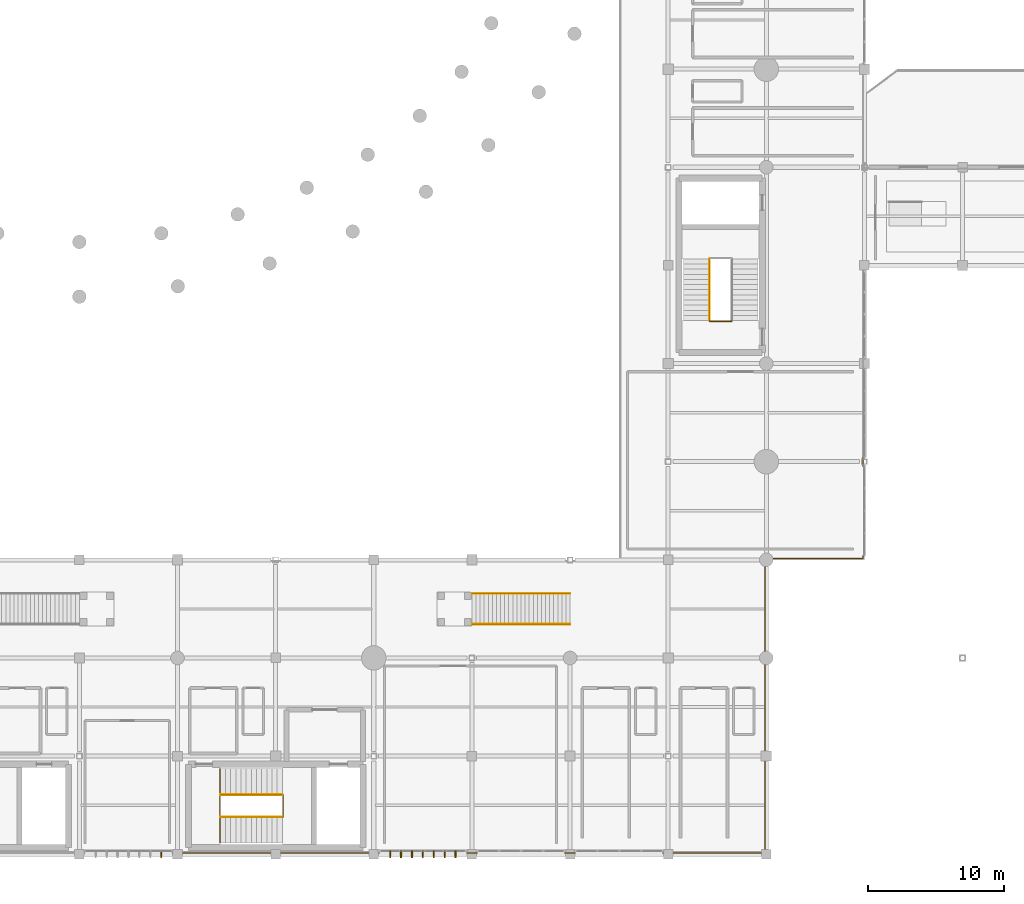
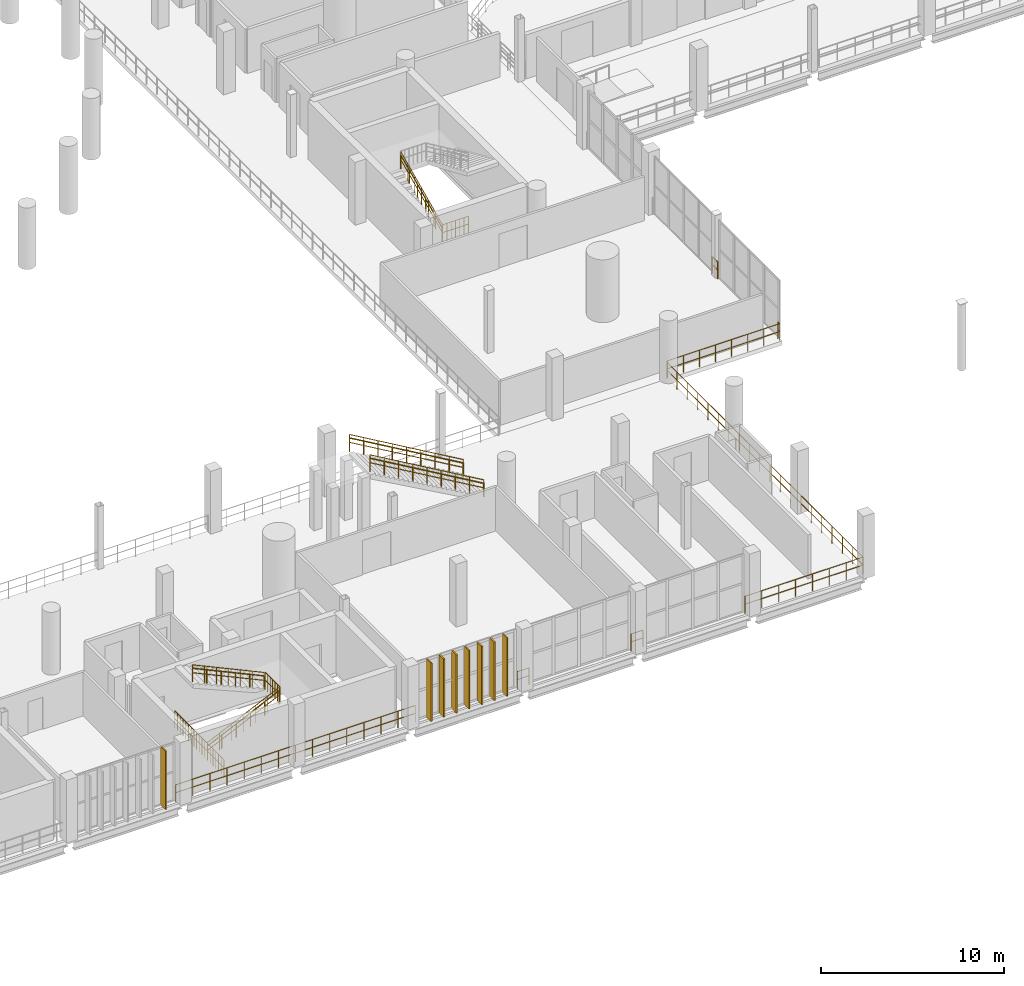
# One storey, part 120 of 130: 19 railings, 8 coverings.
"""IFC4 building model written with IfcOpenShell, lengths in metres."""

from ifc_helpers import new_model, si_unit, direction, frame, origin, origin_2d, place, context, subcontext, project, spatial, rectangle, circle, extrude, material, layer, layer_set, type_object, element, save


model = new_model("IFC4")

# Units and contexts
model_context = context("Model", 3, precision=1e-05, world=origin(), true_north=direction((0.0, 1.0)))
body_context = subcontext(model_context, "Body", "Model", "MODEL_VIEW")
ifc_project = project(units=[si_unit("LENGTHUNIT", "METRE"), si_unit("AREAUNIT", "SQUARE_METRE"), si_unit("VOLUMEUNIT", "CUBIC_METRE"), si_unit("PLANEANGLEUNIT", "RADIAN"), si_unit("MASSUNIT", "GRAM", prefix="KILO")], contexts=[model_context])

# Site, building, storey
site_placement = place(None, origin())
site = spatial("IfcSite", under=ifc_project, at=site_placement, CompositionType="ELEMENT")
building_placement = place(site_placement, origin())
building = spatial("IfcBuilding", under=site, at=building_placement, Name="Qandorah Velis Arena", CompositionType="ELEMENT")
storey_placement = place(building_placement, frame((0.0, 0.0, 9.60009765625)))
storey = spatial("IfcBuildingStorey", under=building, at=storey_placement, Name="L02", CompositionType="ELEMENT", Elevation=9.60009765625)

# Coverings
ifc_material_1 = material(Name="Champagne-bronze anodized aluminium 6063-T6", Category="aluminium")
ifc_layer = layer(ifc_material_1, 0.0849609375)
ifc_layer_set = layer_set([ifc_layer], Name="Champagne-bronze anodized aluminium 6063-T6")
covering_type = type_object("IfcCoveringType", Name="ARC-COV-FIN520", PredefinedType="CLADDING", material=ifc_layer_set)
for number, where, z_axis, x_axis, name in (
    (1, (70.800048828125, -0.001953125, -0.010009765625), (0.0, 0.0, 1.0), (1.0, 0.0, 0.0), "Vertical champagne-bronze solar fin blade WNG-S-L02-09-007"),
    (2, (87.60009765625, -0.001953125, -0.010009765625), (0.0, 0.0, 1.0), (1.0, 0.0, 0.0), "Vertical champagne-bronze solar fin blade WNG-S-L02-12-001"),
    (3, (88.39990234375, -0.001953125, -0.010009765625), (0.0, 0.0, 1.0), (1.0, 0.0, 0.0), "Vertical champagne-bronze solar fin blade WNG-S-L02-12-002"),
    (4, (89.199951171875, -0.001953125, -0.010009765625), (0.0, 0.0, 1.0), (1.0, 0.0, 0.0), "Vertical champagne-bronze solar fin blade WNG-S-L02-12-003"),
    (5, (90.0, -0.001953125, -0.010009765625), (0.0, 0.0, 1.0), (1.0, 0.0, 0.0), "Vertical champagne-bronze solar fin blade WNG-S-L02-12-004"),
    (6, (90.800048828125, -0.001953125, -0.010009765625), (0.0, 0.0, 1.0), (1.0, 0.0, 0.0), "Vertical champagne-bronze solar fin blade WNG-S-L02-12-005"),
    (7, (91.60009765625, -0.001953125, -0.010009765625), (0.0, 0.0, 1.0), (1.0, 0.0, 0.0), "Vertical champagne-bronze solar fin blade WNG-S-L02-12-006"),
    (8, (92.39990234375, -0.001953125, -0.010009765625), (0.0, 0.0, 1.0), (1.0, 0.0, 0.0), "Vertical champagne-bronze solar fin blade WNG-S-L02-12-007"),
):
    element("IfcCovering", number, at=place(storey_placement, frame(where, z_axis=z_axis, x_axis=x_axis)), inside=storey, type_object=covering_type, Name=name, PredefinedType="CLADDING", context=body_context, shape_type="SweptSolid", body=[
        extrude(rectangle(XDim=0.0849609375, YDim=0.52001953125, at=origin_2d()), origin(), (0.0, 0.0, 1.0), 3.89990234375),
    ])

# Railings
ifc_material_2 = material(Name="Stainless steel 316", Category="steel")
railing_type_1 = type_object("IfcRailingType", Name="ARC-RL-GRD1150", PredefinedType="GUARDRAIL", material=ifc_material_2)
railing_1_placement = place(storey_placement, frame((75.110107421875, 0.860107421875, 0.0)))
element("IfcRailing", 9, at=railing_1_placement, inside=storey, type_object=railing_type_1, Name="Stair ST2 landing well-slot guardrail L02", PredefinedType="GUARDRAIL", context=body_context, shape_type="SweptSolid", body=[
    extrude(circle(Radius=0.02392578125, at=origin_2d()), frame((0.0, 0.0, 1.1259765625), z_axis=(0.0, 1.0, 0.0), x_axis=(-1.0, 0.0, 0.0)), (0.0, 0.0, 1.0), 5.3798828125),
    extrude(circle(Radius=0.02392578125, at=origin_2d()), frame((0.0, 0.0, 0.597900390625), z_axis=(0.0, 1.0, 0.0), x_axis=(-1.0, 0.0, 0.0)), (0.0, 0.0, 1.0), 5.3798828125),
    extrude(circle(Radius=0.02099609375, at=origin_2d()), origin(), (0.0, 0.0, 1.0), 1.101806640625),
    extrude(circle(Radius=0.02099609375, at=origin_2d()), frame((0.0, 0.298828125, 0.0)), (0.0, 0.0, 1.0), 1.101806640625),
    extrude(circle(Radius=0.02099609375, at=origin_2d()), frame((0.0, 0.59765625, 0.0)), (0.0, 0.0, 1.0), 1.101806640625),
    extrude(circle(Radius=0.02099609375, at=origin_2d()), frame((0.0, 0.896728515625, 0.0)), (0.0, 0.0, 1.0), 1.101806640625),
    extrude(circle(Radius=0.02099609375, at=origin_2d()), frame((0.0, 1.195556640625, 0.0)), (0.0, 0.0, 1.0), 1.101806640625),
    extrude(circle(Radius=0.02099609375, at=origin_2d()), frame((0.0, 1.494384765625, 0.0)), (0.0, 0.0, 1.0), 1.101806640625),
    extrude(circle(Radius=0.02099609375, at=origin_2d()), frame((0.0, 1.793212890625, 0.0)), (0.0, 0.0, 1.0), 1.101806640625),
    extrude(circle(Radius=0.02099609375, at=origin_2d()), frame((0.0, 2.09228515625, 0.0)), (0.0, 0.0, 1.0), 1.101806640625),
    extrude(circle(Radius=0.02099609375, at=origin_2d()), frame((0.0, 2.39111328125, 0.0)), (0.0, 0.0, 1.0), 1.101806640625),
    extrude(circle(Radius=0.02099609375, at=origin_2d()), frame((0.0, 2.68994140625, 0.0)), (0.0, 0.0, 1.0), 1.101806640625),
    extrude(circle(Radius=0.02099609375, at=origin_2d()), frame((0.0, 2.98876953125, 0.0)), (0.0, 0.0, 1.0), 1.101806640625),
    extrude(circle(Radius=0.02099609375, at=origin_2d()), frame((0.0, 3.28759765625, 0.0)), (0.0, 0.0, 1.0), 1.101806640625),
    extrude(circle(Radius=0.02099609375, at=origin_2d()), frame((0.0, 3.586669921875, 0.0)), (0.0, 0.0, 1.0), 1.101806640625),
    extrude(circle(Radius=0.02099609375, at=origin_2d()), frame((0.0, 3.885498046875, 0.0)), (0.0, 0.0, 1.0), 1.101806640625),
    extrude(circle(Radius=0.02099609375, at=origin_2d()), frame((0.0, 4.184326171875, 0.0)), (0.0, 0.0, 1.0), 1.101806640625),
    extrude(circle(Radius=0.02099609375, at=origin_2d()), frame((0.0, 4.483154296875, 0.0)), (0.0, 0.0, 1.0), 1.101806640625),
    extrude(circle(Radius=0.02099609375, at=origin_2d()), frame((0.0, 4.7822265625, 0.0)), (0.0, 0.0, 1.0), 1.101806640625),
    extrude(circle(Radius=0.02099609375, at=origin_2d()), frame((0.0, 5.0810546875, 0.0)), (0.0, 0.0, 1.0), 1.101806640625),
    extrude(circle(Radius=0.02099609375, at=origin_2d()), frame((0.0, 5.3798828125, 0.0)), (0.0, 0.0, 1.0), 1.101806640625),
])
railing_2_placement = place(storey_placement, frame((79.74609375, 2.739990234375, 2.099853515625)))
element("IfcRailing", 10, at=railing_2_placement, inside=storey, type_object=railing_type_1, Name="Stair ST2 well guardrail (L02)", PredefinedType="GUARDRAIL", context=body_context, shape_type="SweptSolid", body=[
    extrude(circle(Radius=0.02392578125, at=origin_2d()), frame((0.0, 0.0, 1.1259765625), z_axis=(0.0, 1.0, 0.0), x_axis=(-1.0, 0.0, 0.0)), (0.0, 0.0, 1.0), 1.6201171875),
    extrude(circle(Radius=0.02392578125, at=origin_2d()), frame((0.0, 0.0, 0.597900390625), z_axis=(0.0, 1.0, 0.0), x_axis=(-1.0, 0.0, 0.0)), (0.0, 0.0, 1.0), 1.6201171875),
    extrude(circle(Radius=0.02099609375, at=origin_2d()), origin(), (0.0, 0.0, 1.0), 1.101806640625),
    extrude(circle(Radius=0.02099609375, at=origin_2d()), frame((0.0, 0.27001953125, 0.0)), (0.0, 0.0, 1.0), 1.101806640625),
    extrude(circle(Radius=0.02099609375, at=origin_2d()), frame((0.0, 0.5400390625, 0.0)), (0.0, 0.0, 1.0), 1.101806640625),
    extrude(circle(Radius=0.02099609375, at=origin_2d()), frame((0.0, 0.81005859375, 0.0)), (0.0, 0.0, 1.0), 1.101806640625),
    extrude(circle(Radius=0.02099609375, at=origin_2d()), frame((0.0, 1.080078125, 0.0)), (0.0, 0.0, 1.0), 1.101806640625),
    extrude(circle(Radius=0.02099609375, at=origin_2d()), frame((0.0, 1.35009765625, 0.0)), (0.0, 0.0, 1.0), 1.101806640625),
    extrude(circle(Radius=0.02099609375, at=origin_2d()), frame((0.0, 1.6201171875, 0.0)), (0.0, 0.0, 1.0), 1.101806640625),
])
railing_3_placement = place(storey_placement, frame((75.14990234375, 2.72998046875, 0.0)))
element("IfcRailing", 11, at=railing_3_placement, inside=storey, type_object=railing_type_1, Name="Stair ST2 inner flight 1 guardrail (L02)", PredefinedType="GUARDRAIL", context=body_context, shape_type="SweptSolid", body=[
    extrude(circle(Radius=0.02392578125, at=origin_2d()), frame((0.0, 0.0, 1.1259765625), z_axis=(0.907482768716, 0.0, 0.420089305367), x_axis=(0.0, 1.0, 0.0)), (0.0, 0.0, 1.0), 4.99853515625),
    extrude(circle(Radius=0.02392578125, at=origin_2d()), frame((0.0, 0.0, 0.597900390625), z_axis=(0.907482768716, 0.0, 0.420089305367), x_axis=(0.0, 1.0, 0.0)), (0.0, 0.0, 1.0), 4.99853515625),
    extrude(circle(Radius=0.02099609375, at=origin_2d()), origin(), (0.0, 0.0, 1.0), 1.101806640625),
    extrude(circle(Radius=0.02099609375, at=origin_2d()), frame((0.756103515625, 0.0, 0.35009765625)), (0.0, 0.0, 1.0), 1.101806640625),
    extrude(circle(Radius=0.02099609375, at=origin_2d()), frame((1.511962890625, 0.0, 0.699951171875)), (0.0, 0.0, 1.0), 1.101806640625),
    extrude(circle(Radius=0.02099609375, at=origin_2d()), frame((2.26806640625, 0.0, 1.0498046875)), (0.0, 0.0, 1.0), 1.101806640625),
    extrude(circle(Radius=0.02099609375, at=origin_2d()), frame((3.024169921875, 0.0, 1.39990234375)), (0.0, 0.0, 1.0), 1.101806640625),
    extrude(circle(Radius=0.02099609375, at=origin_2d()), frame((3.780029296875, 0.0, 1.75)), (0.0, 0.0, 1.0), 1.101806640625),
    extrude(circle(Radius=0.02099609375, at=origin_2d()), frame((4.5361328125, 0.0, 2.099853515625)), (0.0, 0.0, 1.0), 1.101806640625),
])
railing_4_placement = place(storey_placement, frame((79.68603515625, 4.3701171875, 2.099853515625)))
element("IfcRailing", 12, at=railing_4_placement, inside=storey, type_object=railing_type_1, Name="Stair ST2 inner flight 2 guardrail (L02)", PredefinedType="GUARDRAIL", context=body_context, shape_type="SweptSolid", body=[
    extrude(circle(Radius=0.02392578125, at=origin_2d()), frame((0.0, 0.0, 1.1259765625), z_axis=(-0.907464148506, 0.0, 0.420129526666), x_axis=(0.0, -1.0, 0.0)), (0.0, 0.0, 1.0), 4.998779296875),
    extrude(circle(Radius=0.02392578125, at=origin_2d()), frame((0.0, 0.0, 0.597900390625), z_axis=(-0.907464148506, 0.0, 0.420129526666), x_axis=(0.0, -1.0, 0.0)), (0.0, 0.0, 1.0), 4.998779296875),
    extrude(circle(Radius=0.02099609375, at=origin_2d()), origin(), (0.0, 0.0, 1.0), 1.101806640625),
    extrude(circle(Radius=0.02099609375, at=origin_2d()), frame((-0.756103515625, 0.0, 0.35009765625)), (0.0, 0.0, 1.0), 1.101806640625),
    extrude(circle(Radius=0.02099609375, at=origin_2d()), frame((-1.511962890625, 0.0, 0.699951171875)), (0.0, 0.0, 1.0), 1.101806640625),
    extrude(circle(Radius=0.02099609375, at=origin_2d()), frame((-2.26806640625, 0.0, 1.050048828125)), (0.0, 0.0, 1.0), 1.101806640625),
    extrude(circle(Radius=0.02099609375, at=origin_2d()), frame((-3.024169921875, 0.0, 1.400146484375)), (0.0, 0.0, 1.0), 1.101806640625),
    extrude(circle(Radius=0.02099609375, at=origin_2d()), frame((-3.780029296875, 0.0, 1.75)), (0.0, 0.0, 1.0), 1.101806640625),
    extrude(circle(Radius=0.02099609375, at=origin_2d()), frame((-4.5361328125, 0.0, 2.10009765625)), (0.0, 0.0, 1.0), 1.101806640625),
])
railing_5_placement = place(storey_placement, frame((111.0400390625, 39.110107421875, 0.0)))
element("IfcRailing", 13, at=railing_5_placement, inside=storey, type_object=railing_type_1, Name="Stair ST11 landing well-slot guardrail L02", PredefinedType="GUARDRAIL", context=body_context, shape_type="SweptSolid", body=[
    extrude(circle(Radius=0.02392578125, at=origin_2d()), frame((0.0, 0.0, 1.1259765625), z_axis=(1.0, 0.0, 0.0), x_axis=(0.0, 1.0, 0.0)), (0.0, 0.0, 1.0), 1.619873046875),
    extrude(circle(Radius=0.02392578125, at=origin_2d()), frame((0.0, 0.0, 0.597900390625), z_axis=(1.0, 0.0, 0.0), x_axis=(0.0, 1.0, 0.0)), (0.0, 0.0, 1.0), 1.619873046875),
    extrude(circle(Radius=0.02099609375, at=origin_2d()), origin(), (0.0, 0.0, 1.0), 1.101806640625),
    extrude(circle(Radius=0.02099609375, at=origin_2d()), frame((0.27001953125, 0.0, 0.0)), (0.0, 0.0, 1.0), 1.101806640625),
    extrude(circle(Radius=0.02099609375, at=origin_2d()), frame((0.5400390625, 0.0, 0.0)), (0.0, 0.0, 1.0), 1.101806640625),
    extrude(circle(Radius=0.02099609375, at=origin_2d()), frame((0.81005859375, 0.0, 0.0)), (0.0, 0.0, 1.0), 1.101806640625),
    extrude(circle(Radius=0.02099609375, at=origin_2d()), frame((1.079833984375, 0.0, 0.0)), (0.0, 0.0, 1.0), 1.101806640625),
    extrude(circle(Radius=0.02099609375, at=origin_2d()), frame((1.349853515625, 0.0, 0.0)), (0.0, 0.0, 1.0), 1.101806640625),
    extrude(circle(Radius=0.02099609375, at=origin_2d()), frame((1.619873046875, 0.0, 0.0)), (0.0, 0.0, 1.0), 1.101806640625),
])
railing_6_placement = place(storey_placement, frame((111.030029296875, 39.14990234375, 0.0)))
element("IfcRailing", 14, at=railing_6_placement, inside=storey, type_object=railing_type_1, Name="Stair ST11 inner flight 1 guardrail (L02)", PredefinedType="GUARDRAIL", context=body_context, shape_type="SweptSolid", body=[
    extrude(circle(Radius=0.02392578125, at=origin_2d()), frame((0.0, 0.0, 1.1259765625), z_axis=(0.0, 0.907482768716, 0.420089305367), x_axis=(-1.0, 0.0, 0.0)), (0.0, 0.0, 1.0), 4.99853515625),
    extrude(circle(Radius=0.02392578125, at=origin_2d()), frame((0.0, 0.0, 0.597900390625), z_axis=(0.0, 0.907482768716, 0.420089305367), x_axis=(-1.0, 0.0, 0.0)), (0.0, 0.0, 1.0), 4.99853515625),
    extrude(circle(Radius=0.02099609375, at=origin_2d()), origin(), (0.0, 0.0, 1.0), 1.101806640625),
    extrude(circle(Radius=0.02099609375, at=origin_2d()), frame((0.0, 0.756103515625, 0.35009765625)), (0.0, 0.0, 1.0), 1.101806640625),
    extrude(circle(Radius=0.02099609375, at=origin_2d()), frame((0.0, 1.511962890625, 0.699951171875)), (0.0, 0.0, 1.0), 1.101806640625),
    extrude(circle(Radius=0.02099609375, at=origin_2d()), frame((0.0, 2.26806640625, 1.0498046875)), (0.0, 0.0, 1.0), 1.101806640625),
    extrude(circle(Radius=0.02099609375, at=origin_2d()), frame((0.0, 3.024169921875, 1.39990234375)), (0.0, 0.0, 1.0), 1.101806640625),
    extrude(circle(Radius=0.02099609375, at=origin_2d()), frame((0.0, 3.780029296875, 1.75)), (0.0, 0.0, 1.0), 1.101806640625),
    extrude(circle(Radius=0.02099609375, at=origin_2d()), frame((0.0, 4.5361328125, 2.099853515625)), (0.0, 0.0, 1.0), 1.101806640625),
])
for number, where, name in (
    (15, (100.800048828125, 16.8798828125, 0.0), "Vomitory VS11 left guard (L02)"),
    (16, (100.800048828125, 19.1201171875, 0.0), "Vomitory VS11 right guard (L02)"),
):
    element("IfcRailing", number, at=place(storey_placement, frame(where)), inside=storey, type_object=railing_type_1, Name=name, PredefinedType="GUARDRAIL", context=body_context, shape_type="SweptSolid", body=[
        extrude(circle(Radius=0.02392578125, at=origin_2d()), frame((0.0, 0.0, 1.1259765625), z_axis=(-0.863779963214, 0.0, 0.503869204407), x_axis=(0.0, -1.0, 0.0)), (0.0, 0.0, 1.0), 8.33544921875),
        extrude(circle(Radius=0.02392578125, at=origin_2d()), frame((0.0, 0.0, 0.597900390625), z_axis=(-0.863779963214, 0.0, 0.503869204407), x_axis=(0.0, -1.0, 0.0)), (0.0, 0.0, 1.0), 8.33544921875),
        extrude(circle(Radius=0.02099609375, at=origin_2d()), origin(), (0.0, 0.0, 1.0), 1.101806640625),
        extrude(circle(Radius=0.02099609375, at=origin_2d()), frame((-0.89990234375, 0.0, 0.52490234375)), (0.0, 0.0, 1.0), 1.101806640625),
        extrude(circle(Radius=0.02099609375, at=origin_2d()), frame((-1.800048828125, 0.0, 1.050048828125)), (0.0, 0.0, 1.0), 1.101806640625),
        extrude(circle(Radius=0.02099609375, at=origin_2d()), frame((-2.699951171875, 0.0, 1.574951171875)), (0.0, 0.0, 1.0), 1.101806640625),
        extrude(circle(Radius=0.02099609375, at=origin_2d()), frame((-3.60009765625, 0.0, 2.10009765625)), (0.0, 0.0, 1.0), 1.101806640625),
        extrude(circle(Radius=0.02099609375, at=origin_2d()), frame((-4.5, 0.0, 2.625)), (0.0, 0.0, 1.0), 1.101806640625),
        extrude(circle(Radius=0.02099609375, at=origin_2d()), frame((-5.39990234375, 0.0, 3.14990234375)), (0.0, 0.0, 1.0), 1.101806640625),
        extrude(circle(Radius=0.02099609375, at=origin_2d()), frame((-6.300048828125, 0.0, 3.675048828125)), (0.0, 0.0, 1.0), 1.101806640625),
        extrude(circle(Radius=0.02099609375, at=origin_2d()), frame((-7.199951171875, 0.0, 4.199951171875)), (0.0, 0.0, 1.0), 1.101806640625),
    ])
railing_7_placement = place(storey_placement, frame((115.10009765625, 0.10009765625, 0.0)))
element("IfcRailing", 17, at=railing_7_placement, inside=storey, type_object=railing_type_1, Name="Slab edge safety guardrail L02-127", PredefinedType="GUARDRAIL", context=body_context, shape_type="SweptSolid", body=[
    extrude(circle(Radius=0.02392578125, at=origin_2d()), frame((0.0, 0.0, 1.1259765625), z_axis=(-1.0, 0.0, 0.0), x_axis=(0.0, -1.0, 0.0)), (0.0, 0.0, 1.0), 7.47509765625),
    extrude(circle(Radius=0.02392578125, at=origin_2d()), frame((0.0, 0.0, 0.597900390625), z_axis=(-1.0, 0.0, 0.0), x_axis=(0.0, -1.0, 0.0)), (0.0, 0.0, 1.0), 7.47509765625),
    extrude(circle(Radius=0.02099609375, at=origin_2d()), origin(), (0.0, 0.0, 1.0), 1.101806640625),
    extrude(circle(Radius=0.02099609375, at=origin_2d()), frame((-1.06787109375, 0.0, 0.0)), (0.0, 0.0, 1.0), 1.101806640625),
    extrude(circle(Radius=0.02099609375, at=origin_2d()), frame((-2.1357421875, 0.0, 0.0)), (0.0, 0.0, 1.0), 1.101806640625),
    extrude(circle(Radius=0.02099609375, at=origin_2d()), frame((-3.20361328125, 0.0, 0.0)), (0.0, 0.0, 1.0), 1.101806640625),
    extrude(circle(Radius=0.02099609375, at=origin_2d()), frame((-4.271484375, 0.0, 0.0)), (0.0, 0.0, 1.0), 1.101806640625),
    extrude(circle(Radius=0.02099609375, at=origin_2d()), frame((-5.33935546875, 0.0, 0.0)), (0.0, 0.0, 1.0), 1.101806640625),
    extrude(circle(Radius=0.02099609375, at=origin_2d()), frame((-6.4072265625, 0.0, 0.0)), (0.0, 0.0, 1.0), 1.101806640625),
    extrude(circle(Radius=0.02099609375, at=origin_2d()), frame((-7.47509765625, 0.0, 0.0)), (0.0, 0.0, 1.0), 1.101806640625),
])
for number, where, name in (
    (18, (101.175048828125, 0.10009765625, 0.0), "Slab edge safety guardrail L02-128"),
    (19, (93.97509765625, 0.10009765625, 0.0), "Slab edge safety guardrail L02-129"),
):
    element("IfcRailing", number, at=place(storey_placement, frame(where)), inside=storey, type_object=railing_type_1, Name=name, PredefinedType="GUARDRAIL", context=body_context, shape_type="SweptSolid", body=[
        extrude(circle(Radius=0.02392578125, at=origin_2d()), frame((0.0, 0.0, 1.1259765625), z_axis=(-1.0, 0.0, 0.0), x_axis=(0.0, -1.0, 0.0)), (0.0, 0.0, 1.0), 0.75),
        extrude(circle(Radius=0.02392578125, at=origin_2d()), frame((0.0, 0.0, 0.597900390625), z_axis=(-1.0, 0.0, 0.0), x_axis=(0.0, -1.0, 0.0)), (0.0, 0.0, 1.0), 0.75),
        extrude(circle(Radius=0.02099609375, at=origin_2d()), origin(), (0.0, 0.0, 1.0), 1.101806640625),
        extrude(circle(Radius=0.02099609375, at=origin_2d()), frame((-0.75, 0.0, 0.0)), (0.0, 0.0, 1.0), 1.101806640625),
    ])
railing_8_placement = place(storey_placement, frame((86.77490234375, 0.10009765625, 0.0)))
element("IfcRailing", 20, at=railing_8_placement, inside=storey, type_object=railing_type_1, Name="Slab edge safety guardrail L02-130", PredefinedType="GUARDRAIL", context=body_context, shape_type="SweptSolid", body=[
    extrude(circle(Radius=0.02392578125, at=origin_2d()), frame((0.0, 0.0, 1.1259765625), z_axis=(-1.0, 0.0, 0.0), x_axis=(0.0, -1.0, 0.0)), (0.0, 0.0, 1.0), 15.14990234375),
    extrude(circle(Radius=0.02392578125, at=origin_2d()), frame((0.0, 0.0, 0.597900390625), z_axis=(-1.0, 0.0, 0.0), x_axis=(0.0, -1.0, 0.0)), (0.0, 0.0, 1.0), 15.14990234375),
    extrude(circle(Radius=0.02099609375, at=origin_2d()), origin(), (0.0, 0.0, 1.0), 1.101806640625),
    extrude(circle(Radius=0.02099609375, at=origin_2d()), frame((-1.08203125, 0.0, 0.0)), (0.0, 0.0, 1.0), 1.101806640625),
    extrude(circle(Radius=0.02099609375, at=origin_2d()), frame((-2.164306640625, 0.0, 0.0)), (0.0, 0.0, 1.0), 1.101806640625),
    extrude(circle(Radius=0.02099609375, at=origin_2d()), frame((-3.246337890625, 0.0, 0.0)), (0.0, 0.0, 1.0), 1.101806640625),
    extrude(circle(Radius=0.02099609375, at=origin_2d()), frame((-4.32861328125, 0.0, 0.0)), (0.0, 0.0, 1.0), 1.101806640625),
    extrude(circle(Radius=0.02099609375, at=origin_2d()), frame((-5.41064453125, 0.0, 0.0)), (0.0, 0.0, 1.0), 1.101806640625),
    extrude(circle(Radius=0.02099609375, at=origin_2d()), frame((-6.492919921875, 0.0, 0.0)), (0.0, 0.0, 1.0), 1.101806640625),
    extrude(circle(Radius=0.02099609375, at=origin_2d()), frame((-7.574951171875, 0.0, 0.0)), (0.0, 0.0, 1.0), 1.101806640625),
    extrude(circle(Radius=0.02099609375, at=origin_2d()), frame((-8.656982421875, 0.0, 0.0)), (0.0, 0.0, 1.0), 1.101806640625),
    extrude(circle(Radius=0.02099609375, at=origin_2d()), frame((-9.7392578125, 0.0, 0.0)), (0.0, 0.0, 1.0), 1.101806640625),
    extrude(circle(Radius=0.02099609375, at=origin_2d()), frame((-10.8212890625, 0.0, 0.0)), (0.0, 0.0, 1.0), 1.101806640625),
    extrude(circle(Radius=0.02099609375, at=origin_2d()), frame((-11.903564453125, 0.0, 0.0)), (0.0, 0.0, 1.0), 1.101806640625),
    extrude(circle(Radius=0.02099609375, at=origin_2d()), frame((-12.985595703125, 0.0, 0.0)), (0.0, 0.0, 1.0), 1.101806640625),
    extrude(circle(Radius=0.02099609375, at=origin_2d()), frame((-14.06787109375, 0.0, 0.0)), (0.0, 0.0, 1.0), 1.101806640625),
    extrude(circle(Radius=0.02099609375, at=origin_2d()), frame((-15.14990234375, 0.0, 0.0)), (0.0, 0.0, 1.0), 1.101806640625),
])
railing_9_placement = place(storey_placement, frame((122.300048828125, 29.10009765625, 0.0)))
element("IfcRailing", 21, at=railing_9_placement, inside=storey, type_object=railing_type_1, Name="Slab edge safety guardrail L02-169", PredefinedType="GUARDRAIL", context=body_context, shape_type="SweptSolid", body=[
    extrude(circle(Radius=0.02392578125, at=origin_2d()), frame((0.0, 0.0, 1.1259765625), z_axis=(0.0, -1.0, 0.0), x_axis=(1.0, 0.0, 0.0)), (0.0, 0.0, 1.0), 0.60009765625),
    extrude(circle(Radius=0.02392578125, at=origin_2d()), frame((0.0, 0.0, 0.597900390625), z_axis=(0.0, -1.0, 0.0), x_axis=(1.0, 0.0, 0.0)), (0.0, 0.0, 1.0), 0.60009765625),
    extrude(circle(Radius=0.02099609375, at=origin_2d()), origin(), (0.0, 0.0, 1.0), 1.101806640625),
    extrude(circle(Radius=0.02099609375, at=origin_2d()), frame((0.0, -0.60009765625, 0.0)), (0.0, 0.0, 1.0), 1.101806640625),
])
railing_10_placement = place(storey_placement, frame((122.300048828125, 21.89990234375, 0.0)))
element("IfcRailing", 22, at=railing_10_placement, inside=storey, type_object=railing_type_1, Name="Slab edge safety guardrail L02-170", PredefinedType="GUARDRAIL", context=body_context, shape_type="SweptSolid", body=[
    extrude(circle(Radius=0.02392578125, at=origin_2d()), frame((0.0, 0.0, 1.1259765625), z_axis=(0.0, -1.0, 0.0), x_axis=(1.0, 0.0, 0.0)), (0.0, 0.0, 1.0), 0.199951171875),
    extrude(circle(Radius=0.02392578125, at=origin_2d()), frame((0.0, 0.0, 0.597900390625), z_axis=(0.0, -1.0, 0.0), x_axis=(1.0, 0.0, 0.0)), (0.0, 0.0, 1.0), 0.199951171875),
    extrude(circle(Radius=0.02392578125, at=origin_2d()), frame((0.0, -0.199951171875, 1.1259765625), z_axis=(-1.0, 0.0, 0.0), x_axis=(0.0, -1.0, 0.0)), (0.0, 0.0, 1.0), 7.10009765625),
    extrude(circle(Radius=0.02392578125, at=origin_2d()), frame((0.0, -0.199951171875, 0.597900390625), z_axis=(-1.0, 0.0, 0.0), x_axis=(0.0, -1.0, 0.0)), (0.0, 0.0, 1.0), 7.10009765625),
    extrude(circle(Radius=0.02392578125, at=origin_2d()), frame((-7.10009765625, -0.199951171875, 1.1259765625), z_axis=(-0.772928297309, -0.634493378388, 0.0), x_axis=(0.634493378388, -0.772928297309, 0.0)), (0.0, 0.0, 1.0), 0.126953125),
    extrude(circle(Radius=0.02392578125, at=origin_2d()), frame((-7.10009765625, -0.199951171875, 0.597900390625), z_axis=(-0.772928297309, -0.634493378388, 0.0), x_axis=(0.634493378388, -0.772928297309, 0.0)), (0.0, 0.0, 1.0), 0.126953125),
    extrude(circle(Radius=0.02392578125, at=origin_2d()), frame((-7.1982421875, -0.280517578125, 1.1259765625), z_axis=(-7.9416403e-05, -0.999999996847, 0.0), x_axis=(0.999999996847, -7.9416403e-05, 0.0)), (0.0, 0.0, 1.0), 21.519287109375),
    extrude(circle(Radius=0.02392578125, at=origin_2d()), frame((-7.1982421875, -0.280517578125, 0.597900390625), z_axis=(-7.9416403e-05, -0.999999996847, 0.0), x_axis=(0.999999996847, -7.9416403e-05, 0.0)), (0.0, 0.0, 1.0), 21.519287109375),
    extrude(circle(Radius=0.02099609375, at=origin_2d()), origin(), (0.0, 0.0, 1.0), 1.101806640625),
    extrude(circle(Radius=0.02099609375, at=origin_2d()), frame((0.0, -0.199951171875, 0.0)), (0.0, 0.0, 1.0), 1.101806640625),
    extrude(circle(Radius=0.02099609375, at=origin_2d()), frame((-1.014404296875, -0.199951171875, 0.0)), (0.0, 0.0, 1.0), 1.101806640625),
    extrude(circle(Radius=0.02099609375, at=origin_2d()), frame((-2.028564453125, -0.199951171875, 0.0)), (0.0, 0.0, 1.0), 1.101806640625),
    extrude(circle(Radius=0.02099609375, at=origin_2d()), frame((-3.04296875, -0.199951171875, 0.0)), (0.0, 0.0, 1.0), 1.101806640625),
    extrude(circle(Radius=0.02099609375, at=origin_2d()), frame((-4.05712890625, -0.199951171875, 0.0)), (0.0, 0.0, 1.0), 1.101806640625),
    extrude(circle(Radius=0.02099609375, at=origin_2d()), frame((-5.071533203125, -0.199951171875, 0.0)), (0.0, 0.0, 1.0), 1.101806640625),
    extrude(circle(Radius=0.02099609375, at=origin_2d()), frame((-6.085693359375, -0.199951171875, 0.0)), (0.0, 0.0, 1.0), 1.101806640625),
    extrude(circle(Radius=0.02099609375, at=origin_2d()), frame((-7.10009765625, -0.199951171875, 0.0)), (0.0, 0.0, 1.0), 1.101806640625),
    extrude(circle(Radius=0.02099609375, at=origin_2d()), frame((-7.1982421875, -0.280517578125, 0.0)), (0.0, 0.0, 1.0), 1.101806640625),
    extrude(circle(Radius=0.02099609375, at=origin_2d()), frame((-7.1982421875, -1.4130859375, 0.0)), (0.0, 0.0, 1.0), 1.101806640625),
    extrude(circle(Radius=0.02099609375, at=origin_2d()), frame((-7.198486328125, -2.545654296875, 0.0)), (0.0, 0.0, 1.0), 1.101806640625),
    extrude(circle(Radius=0.02099609375, at=origin_2d()), frame((-7.198486328125, -3.67822265625, 0.0)), (0.0, 0.0, 1.0), 1.101806640625),
    extrude(circle(Radius=0.02099609375, at=origin_2d()), frame((-7.198486328125, -4.810791015625, 0.0)), (0.0, 0.0, 1.0), 1.101806640625),
    extrude(circle(Radius=0.02099609375, at=origin_2d()), frame((-7.19873046875, -5.943603515625, 0.0)), (0.0, 0.0, 1.0), 1.101806640625),
    extrude(circle(Radius=0.02099609375, at=origin_2d()), frame((-7.19873046875, -7.076171875, 0.0)), (0.0, 0.0, 1.0), 1.101806640625),
    extrude(circle(Radius=0.02099609375, at=origin_2d()), frame((-7.198974609375, -8.208740234375, 0.0)), (0.0, 0.0, 1.0), 1.101806640625),
    extrude(circle(Radius=0.02099609375, at=origin_2d()), frame((-7.198974609375, -9.34130859375, 0.0)), (0.0, 0.0, 1.0), 1.101806640625),
    extrude(circle(Radius=0.02099609375, at=origin_2d()), frame((-7.198974609375, -10.473876953125, 0.0)), (0.0, 0.0, 1.0), 1.101806640625),
    extrude(circle(Radius=0.02099609375, at=origin_2d()), frame((-7.19921875, -11.6064453125, 0.0)), (0.0, 0.0, 1.0), 1.101806640625),
    extrude(circle(Radius=0.02099609375, at=origin_2d()), frame((-7.19921875, -12.739013671875, 0.0)), (0.0, 0.0, 1.0), 1.101806640625),
    extrude(circle(Radius=0.02099609375, at=origin_2d()), frame((-7.19921875, -13.87158203125, 0.0)), (0.0, 0.0, 1.0), 1.101806640625),
    extrude(circle(Radius=0.02099609375, at=origin_2d()), frame((-7.199462890625, -15.004150390625, 0.0)), (0.0, 0.0, 1.0), 1.101806640625),
    extrude(circle(Radius=0.02099609375, at=origin_2d()), frame((-7.199462890625, -16.13671875, 0.0)), (0.0, 0.0, 1.0), 1.101806640625),
    extrude(circle(Radius=0.02099609375, at=origin_2d()), frame((-7.19970703125, -17.26953125, 0.0)), (0.0, 0.0, 1.0), 1.101806640625),
    extrude(circle(Radius=0.02099609375, at=origin_2d()), frame((-7.19970703125, -18.402099609375, 0.0)), (0.0, 0.0, 1.0), 1.101806640625),
    extrude(circle(Radius=0.02099609375, at=origin_2d()), frame((-7.19970703125, -19.53466796875, 0.0)), (0.0, 0.0, 1.0), 1.101806640625),
    extrude(circle(Radius=0.02099609375, at=origin_2d()), frame((-7.199951171875, -20.667236328125, 0.0)), (0.0, 0.0, 1.0), 1.101806640625),
    extrude(circle(Radius=0.02099609375, at=origin_2d()), frame((-7.199951171875, -21.7998046875, 0.0)), (0.0, 0.0, 1.0), 1.101806640625),
])
railing_type_2 = type_object("IfcRailingType", Name="ARC-RL-HND920", PredefinedType="HANDRAIL", material=ifc_material_2)
railing_11_placement = place(storey_placement, frame((75.14990234375, 2.72998046875, 0.0)))
element("IfcRailing", 23, at=railing_11_placement, inside=storey, type_object=railing_type_2, Name="Stair ST2 inner handrail 1 (L02)", PredefinedType="HANDRAIL", context=body_context, shape_type="SweptSolid", body=[
    extrude(circle(Radius=0.02392578125, at=origin_2d()), frame((0.0, 0.0, 0.89599609375), z_axis=(0.907482768716, 0.0, 0.420089305367), x_axis=(0.0, 1.0, 0.0)), (0.0, 0.0, 1.0), 4.99853515625),
    extrude(circle(Radius=0.02099609375, at=origin_2d()), origin(), (0.0, 0.0, 1.0), 0.871826171875),
    extrude(circle(Radius=0.02099609375, at=origin_2d()), frame((0.9072265625, 0.0, 0.419921875)), (0.0, 0.0, 1.0), 0.871826171875),
    extrude(circle(Radius=0.02099609375, at=origin_2d()), frame((1.814453125, 0.0, 0.83984375)), (0.0, 0.0, 1.0), 0.871826171875),
    extrude(circle(Radius=0.02099609375, at=origin_2d()), frame((2.7216796875, 0.0, 1.260009765625)), (0.0, 0.0, 1.0), 0.871826171875),
    extrude(circle(Radius=0.02099609375, at=origin_2d()), frame((3.62890625, 0.0, 1.679931640625)), (0.0, 0.0, 1.0), 0.871826171875),
    extrude(circle(Radius=0.02099609375, at=origin_2d()), frame((4.5361328125, 0.0, 2.099853515625)), (0.0, 0.0, 1.0), 0.871826171875),
])
railing_12_placement = place(storey_placement, frame((79.68603515625, 4.3701171875, 2.099853515625)))
element("IfcRailing", 24, at=railing_12_placement, inside=storey, type_object=railing_type_2, Name="Stair ST2 inner handrail 2 (L02)", PredefinedType="HANDRAIL", context=body_context, shape_type="SweptSolid", body=[
    extrude(circle(Radius=0.02392578125, at=origin_2d()), frame((0.0, 0.0, 0.89599609375), z_axis=(-0.907464148506, 0.0, 0.420129526666), x_axis=(0.0, -1.0, 0.0)), (0.0, 0.0, 1.0), 4.998779296875),
    extrude(circle(Radius=0.02099609375, at=origin_2d()), origin(), (0.0, 0.0, 1.0), 0.871826171875),
    extrude(circle(Radius=0.02099609375, at=origin_2d()), frame((-0.9072265625, 0.0, 0.419921875)), (0.0, 0.0, 1.0), 0.871826171875),
    extrude(circle(Radius=0.02099609375, at=origin_2d()), frame((-1.814453125, 0.0, 0.840087890625)), (0.0, 0.0, 1.0), 0.871826171875),
    extrude(circle(Radius=0.02099609375, at=origin_2d()), frame((-2.7216796875, 0.0, 1.260009765625)), (0.0, 0.0, 1.0), 0.871826171875),
    extrude(circle(Radius=0.02099609375, at=origin_2d()), frame((-3.62890625, 0.0, 1.68017578125)), (0.0, 0.0, 1.0), 0.871826171875),
    extrude(circle(Radius=0.02099609375, at=origin_2d()), frame((-4.5361328125, 0.0, 2.10009765625)), (0.0, 0.0, 1.0), 0.871826171875),
])
railing_13_placement = place(storey_placement, frame((111.030029296875, 39.14990234375, 0.0)))
element("IfcRailing", 25, at=railing_13_placement, inside=storey, type_object=railing_type_2, Name="Stair ST11 inner handrail 1 (L02)", PredefinedType="HANDRAIL", context=body_context, shape_type="SweptSolid", body=[
    extrude(circle(Radius=0.02392578125, at=origin_2d()), frame((0.0, 0.0, 0.89599609375), z_axis=(0.0, 0.907482768716, 0.420089305367), x_axis=(-1.0, 0.0, 0.0)), (0.0, 0.0, 1.0), 4.99853515625),
    extrude(circle(Radius=0.02099609375, at=origin_2d()), origin(), (0.0, 0.0, 1.0), 0.871826171875),
    extrude(circle(Radius=0.02099609375, at=origin_2d()), frame((0.0, 0.9072265625, 0.419921875)), (0.0, 0.0, 1.0), 0.871826171875),
    extrude(circle(Radius=0.02099609375, at=origin_2d()), frame((0.0, 1.814453125, 0.83984375)), (0.0, 0.0, 1.0), 0.871826171875),
    extrude(circle(Radius=0.02099609375, at=origin_2d()), frame((0.0, 2.7216796875, 1.260009765625)), (0.0, 0.0, 1.0), 0.871826171875),
    extrude(circle(Radius=0.02099609375, at=origin_2d()), frame((0.0, 3.62890625, 1.679931640625)), (0.0, 0.0, 1.0), 0.871826171875),
    extrude(circle(Radius=0.02099609375, at=origin_2d()), frame((0.0, 4.5361328125, 2.099853515625)), (0.0, 0.0, 1.0), 0.871826171875),
])
for number, where, name in (
    (26, (100.800048828125, 16.8798828125, 0.0), "Vomitory VS11 left handrail"),
    (27, (100.800048828125, 19.1201171875, 0.0), "Vomitory VS11 right handrail"),
):
    element("IfcRailing", number, at=place(storey_placement, frame(where)), inside=storey, type_object=railing_type_2, Name=name, PredefinedType="HANDRAIL", context=body_context, shape_type="SweptSolid", body=[
        extrude(circle(Radius=0.02392578125, at=origin_2d()), frame((0.0, 0.0, 0.89599609375), z_axis=(-0.863779963214, 0.0, 0.503869204407), x_axis=(0.0, -1.0, 0.0)), (0.0, 0.0, 1.0), 8.33544921875),
        extrude(circle(Radius=0.02099609375, at=origin_2d()), origin(), (0.0, 0.0, 1.0), 0.871826171875),
        extrude(circle(Radius=0.02099609375, at=origin_2d()), frame((-0.89990234375, 0.0, 0.52490234375)), (0.0, 0.0, 1.0), 0.871826171875),
        extrude(circle(Radius=0.02099609375, at=origin_2d()), frame((-1.800048828125, 0.0, 1.050048828125)), (0.0, 0.0, 1.0), 0.871826171875),
        extrude(circle(Radius=0.02099609375, at=origin_2d()), frame((-2.699951171875, 0.0, 1.574951171875)), (0.0, 0.0, 1.0), 0.871826171875),
        extrude(circle(Radius=0.02099609375, at=origin_2d()), frame((-3.60009765625, 0.0, 2.10009765625)), (0.0, 0.0, 1.0), 0.871826171875),
        extrude(circle(Radius=0.02099609375, at=origin_2d()), frame((-4.5, 0.0, 2.625)), (0.0, 0.0, 1.0), 0.871826171875),
        extrude(circle(Radius=0.02099609375, at=origin_2d()), frame((-5.39990234375, 0.0, 3.14990234375)), (0.0, 0.0, 1.0), 0.871826171875),
        extrude(circle(Radius=0.02099609375, at=origin_2d()), frame((-6.300048828125, 0.0, 3.675048828125)), (0.0, 0.0, 1.0), 0.871826171875),
        extrude(circle(Radius=0.02099609375, at=origin_2d()), frame((-7.199951171875, 0.0, 4.199951171875)), (0.0, 0.0, 1.0), 0.871826171875),
    ])

save(model, "model.ifc")
